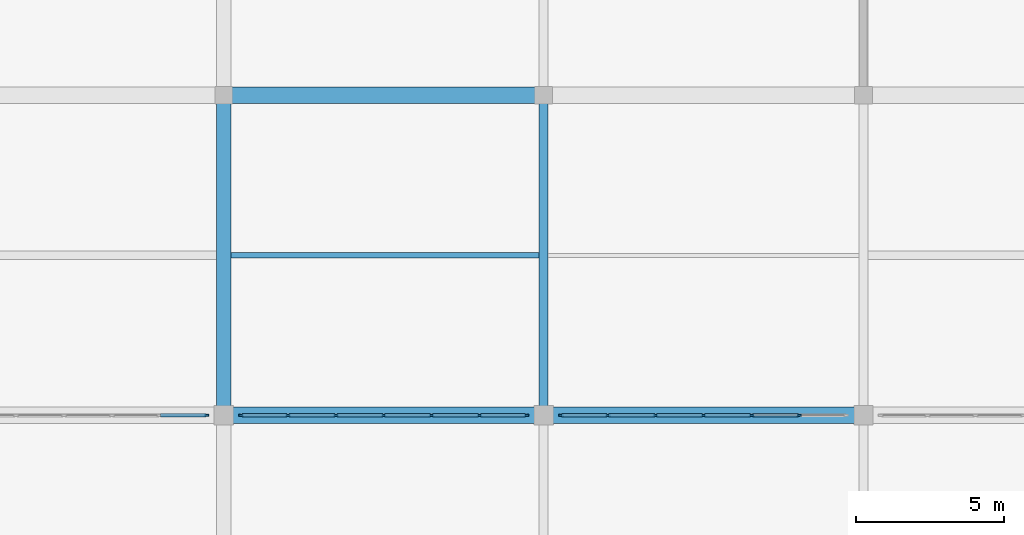
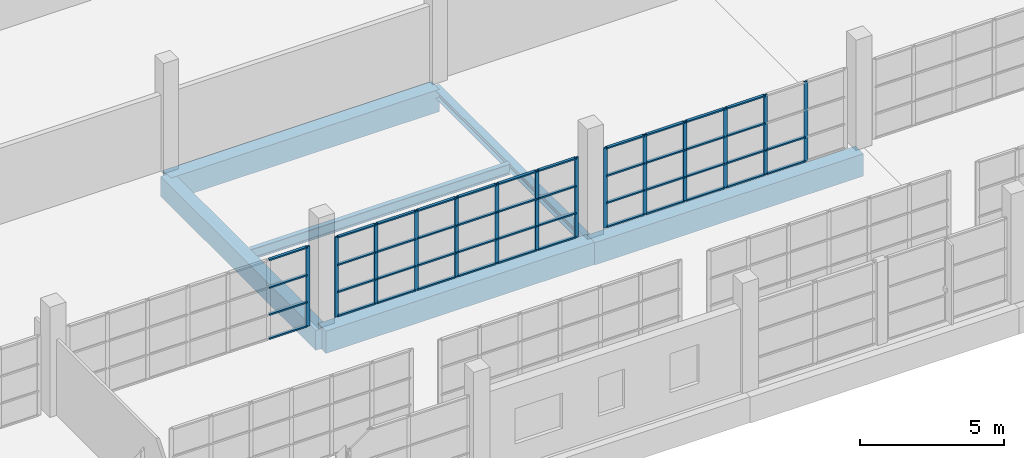
# One storey, part 49 of 142: 60 members, 6 beams, 3 elements without a shape of their own.
"""IFC4 building model written with IfcOpenShell, lengths in metres."""

from ifc_helpers import new_model, si_unit, direction, frame, origin, origin_2d, place, context, subcontext, project, spatial, rectangle, i_section, extrude, material, material_profile, profile_set, type_object, element, aggregate, save


model = new_model("IFC4")

# Units and contexts
model_context = context("Model", 3, precision=1e-05, world=origin(), true_north=direction((0.0, 1.0)))
body_context = subcontext(model_context, "Body", "Model", "MODEL_VIEW")
ifc_project = project(units=[si_unit("LENGTHUNIT", "METRE"), si_unit("AREAUNIT", "SQUARE_METRE"), si_unit("VOLUMEUNIT", "CUBIC_METRE"), si_unit("PLANEANGLEUNIT", "RADIAN"), si_unit("MASSUNIT", "GRAM", prefix="KILO")], contexts=[model_context])

# Site, building, storey
site_placement = place(None, origin())
site = spatial("IfcSite", under=ifc_project, at=site_placement, CompositionType="ELEMENT")
building_placement = place(site_placement, origin())
building = spatial("IfcBuilding", under=site, at=building_placement, Name="Zwinboog Wholesale Market", CompositionType="ELEMENT")
storey_placement = place(building_placement, frame((0.0, 0.0, 5.39990234375)))
storey = spatial("IfcBuildingStorey", under=building, at=storey_placement, Name="L01", CompositionType="ELEMENT", Elevation=5.39990234375)

# Beams
ifc_material_1 = material(Name="Precast concrete C45/55", Category="concrete")
ifc_material_profile_1 = material_profile(ifc_material_1, rectangle(XDim=0.550048828125, YDim=0.949951171875, at=origin_2d()), Name="PC 550x950")
ifc_profile_set_1 = profile_set([ifc_material_profile_1], Name="Precast concrete C45/55")
beam_type_1 = type_object("IfcBeamType", Name="BT-02", PredefinedType="BEAM", material=ifc_profile_set_1)
for number, where, z_axis, x_axis, name in (
    (1, (97.199951171875, 97.199951171875, -0.72998046875), (1.0, 0.0, 0.0), (0.0, 1.0, 0.0), "BG-02 (BMG-L01-0972-0972-0534)"),
    (2, (108.0, 97.199951171875, -0.7548828125), (1.0, 0.0, 0.0), (0.0, 1.0, 0.0), "BG-02 (BMG-L01-1080-0972-0535)"),
    (3, (97.199951171875, 108.0, -0.77978515625), (1.0, 0.0, 0.0), (0.0, 1.0, 0.0), "BG-02 (BMG-L01-0972-1080-0550)"),
):
    element("IfcBeam", number, at=place(storey_placement, frame(where, z_axis=z_axis, x_axis=x_axis)), inside=storey, type_object=beam_type_1, Name=name, PredefinedType="BEAM", context=body_context, shape_type="SweptSolid", body=[
        extrude(rectangle(XDim=0.550048828125, YDim=0.949951171875, at=origin_2d()), origin(), (0.0, 0.0, 1.0), 10.800048828125),
    ])
ifc_material_profile_2 = material_profile(ifc_material_1, rectangle(XDim=0.5, YDim=0.85009765625, at=origin_2d()), Name="PC 500x850")
ifc_profile_set_2 = profile_set([ifc_material_profile_2], Name="Precast concrete C45/55")
beam_type_2 = type_object("IfcBeamType", Name="BT-03", PredefinedType="BEAM", material=ifc_profile_set_2)
beam_1_placement = place(storey_placement, frame((97.199951171875, 97.199951171875, -0.72998046875), z_axis=(0.0, 1.0, 0.0), x_axis=(-1.0, 0.0, 0.0)))
element("IfcBeam", 4, at=beam_1_placement, inside=storey, type_object=beam_type_2, Name="BG-03 (BMG-L01-0972-0972-0691)", PredefinedType="BEAM", context=body_context, shape_type="SweptSolid", body=[
    extrude(rectangle(XDim=0.5, YDim=0.85009765625, at=origin_2d()), origin(), (0.0, 0.0, 1.0), 10.800048828125),
])
ifc_material_2 = material(Name="Steel S355", Category="steel")
ifc_material_profile_3 = material_profile(ifc_material_2, i_section(OverallWidth=0.300048828125, OverallDepth=0.35009765625, WebThickness=0.010009765625, FlangeThickness=0.017578125, FilletRadius=0.027099609375, at=origin_2d()), Name="HEA 360")
ifc_profile_set_3 = profile_set([ifc_material_profile_3], Name="Steel S355")
beam_type_3 = type_object("IfcBeamType", Name="BT-17", PredefinedType="BEAM", material=ifc_profile_set_3)
beam_2_placement = place(storey_placement, frame((108.0, 97.199951171875, -0.47998046875), z_axis=(0.0, 1.0, 0.0), x_axis=(-1.0, 0.0, 0.0)))
element("IfcBeam", 5, at=beam_2_placement, inside=storey, type_object=beam_type_3, Name="SB-04 (BMG-L01-1080-0972-0695)", PredefinedType="BEAM", context=body_context, shape_type="SweptSolid", body=[
    extrude(i_section(OverallWidth=0.300048828125, OverallDepth=0.35009765625, WebThickness=0.010009765625, FlangeThickness=0.017578125, FilletRadius=0.027099609375, at=origin_2d()), origin(), (0.0, 0.0, 1.0), 10.800048828125),
])
ifc_material_profile_4 = material_profile(ifc_material_2, i_section(OverallWidth=0.18994140625, OverallDepth=0.449951171875, WebThickness=0.009521484375, FlangeThickness=0.0146484375, FilletRadius=0.02099609375, at=origin_2d()), Name="IPE 450")
ifc_profile_set_4 = profile_set([ifc_material_profile_4], Name="Steel S355")
beam_type_4 = type_object("IfcBeamType", Name="BT-19", PredefinedType="JOIST", material=ifc_profile_set_4)
beam_3_placement = place(storey_placement, frame((97.449951171875, 102.60009765625, -0.47998046875), z_axis=(1.0, 0.0, 0.0), x_axis=(0.0, 1.0, 0.0)))
element("IfcBeam", 6, at=beam_3_placement, inside=storey, type_object=beam_type_4, Name="SJ-02 (BMG-L01-0974-1026-0837)", PredefinedType="JOIST", context=body_context, shape_type="SweptSolid", body=[
    extrude(i_section(OverallWidth=0.18994140625, OverallDepth=0.449951171875, WebThickness=0.009521484375, FlangeThickness=0.0146484375, FilletRadius=0.02099609375, at=origin_2d()), origin(), (0.0, 0.0, 1.0), 10.400146484375),
])

# Curtain wall, member
ifc_material_3 = material(Name="Aluminium thermally broken curtain wall", Category="aluminium")
curtain_wall_type = type_object("IfcCurtainWallType", Name="CWT-INT-STALL", PredefinedType="USERDEFINED", material=ifc_material_3)
curtain_wall_1_placement = place(storey_placement, origin())
curtain_wall_1 = element("IfcCurtainWall", 7, at=curtain_wall_1_placement, inside=storey, type_object=curtain_wall_type, Name="CW-07 (CW-STL-247)", ObjectType="STOREFRONT_GLAZING", PredefinedType="USERDEFINED")
ifc_material_4 = material(Name="Aluminium EN AW-6060", Category="aluminium")
ifc_material_profile_5 = material_profile(ifc_material_4, rectangle(XDim=0.06005859375, YDim=0.14990234375, at=origin_2d()), Name="AL 60x150")
ifc_profile_set_5 = profile_set([ifc_material_profile_5], Name="Aluminium EN AW-6060")
member_type_1 = type_object("IfcMemberType", Name="CWM-INT-60x120", PredefinedType="MULLION", material=ifc_profile_set_5)
member_1_placement = place(storey_placement, frame((96.6201171875, 97.199951171875, 0.0), z_axis=(0.0, 0.0, 1.0), x_axis=(0.0, 1.0, 0.0)))
member_1 = element("IfcMember", 8, at=member_1_placement, type_object=member_type_1, Name="CW-07 mullion 7", PredefinedType="MULLION", context=body_context, shape_type="SweptSolid", body=[
    extrude(rectangle(XDim=0.06005859375, YDim=0.14990234375, at=origin_2d()), origin(), (0.0, 0.0, 1.0), 3.400146484375),
])

# Curtain wall, members
curtain_wall_2_placement = place(storey_placement, origin())
curtain_wall_2 = element("IfcCurtainWall", 9, at=curtain_wall_2_placement, inside=storey, type_object=curtain_wall_type, Name="CW-07 (CW-STL-248)", ObjectType="STOREFRONT_GLAZING", PredefinedType="USERDEFINED")
member_2_placement = place(storey_placement, frame((97.780029296875, 97.199951171875, 0.0), z_axis=(0.0, 0.0, 1.0), x_axis=(0.0, 1.0, 0.0)))
member_2 = element("IfcMember", 10, at=member_2_placement, type_object=member_type_1, Name="CW-07 mullion 1", PredefinedType="MULLION", context=body_context, shape_type="SweptSolid", body=[
    extrude(rectangle(XDim=0.06005859375, YDim=0.14990234375, at=origin_2d()), origin(), (0.0, 0.0, 1.0), 3.400146484375),
])
member_3_placement = place(storey_placement, frame((99.36669921875, 97.199951171875, 0.0), z_axis=(0.0, 0.0, 1.0), x_axis=(0.0, 1.0, 0.0)))
member_3 = element("IfcMember", 11, at=member_3_placement, type_object=member_type_1, Name="CW-07 mullion 2", PredefinedType="MULLION", context=body_context, shape_type="SweptSolid", body=[
    extrude(rectangle(XDim=0.06005859375, YDim=0.14990234375, at=origin_2d()), origin(), (0.0, 0.0, 1.0), 3.400146484375),
])
member_4_placement = place(storey_placement, frame((100.9833984375, 97.199951171875, 0.0), z_axis=(0.0, 0.0, 1.0), x_axis=(0.0, 1.0, 0.0)))
member_4 = element("IfcMember", 12, at=member_4_placement, type_object=member_type_1, Name="CW-07 mullion 3", PredefinedType="MULLION", context=body_context, shape_type="SweptSolid", body=[
    extrude(rectangle(XDim=0.06005859375, YDim=0.14990234375, at=origin_2d()), origin(), (0.0, 0.0, 1.0), 3.400146484375),
])
member_5_placement = place(storey_placement, frame((102.60009765625, 97.199951171875, 0.0), z_axis=(0.0, 0.0, 1.0), x_axis=(0.0, 1.0, 0.0)))
member_5 = element("IfcMember", 13, at=member_5_placement, type_object=member_type_1, Name="CW-07 mullion 4", PredefinedType="MULLION", context=body_context, shape_type="SweptSolid", body=[
    extrude(rectangle(XDim=0.06005859375, YDim=0.14990234375, at=origin_2d()), origin(), (0.0, 0.0, 1.0), 3.400146484375),
])
member_6_placement = place(storey_placement, frame((104.216552734375, 97.199951171875, 0.0), z_axis=(0.0, 0.0, 1.0), x_axis=(0.0, 1.0, 0.0)))
member_6 = element("IfcMember", 14, at=member_6_placement, type_object=member_type_1, Name="CW-07 mullion 5", PredefinedType="MULLION", context=body_context, shape_type="SweptSolid", body=[
    extrude(rectangle(XDim=0.06005859375, YDim=0.14990234375, at=origin_2d()), origin(), (0.0, 0.0, 1.0), 3.400146484375),
])
member_7_placement = place(storey_placement, frame((105.833251953125, 97.199951171875, 0.0), z_axis=(0.0, 0.0, 1.0), x_axis=(0.0, 1.0, 0.0)))
member_7 = element("IfcMember", 15, at=member_7_placement, type_object=member_type_1, Name="CW-07 mullion 6", PredefinedType="MULLION", context=body_context, shape_type="SweptSolid", body=[
    extrude(rectangle(XDim=0.06005859375, YDim=0.14990234375, at=origin_2d()), origin(), (0.0, 0.0, 1.0), 3.400146484375),
])
member_8_placement = place(storey_placement, frame((107.419921875, 97.199951171875, 0.0), z_axis=(0.0, 0.0, 1.0), x_axis=(0.0, 1.0, 0.0)))
member_8 = element("IfcMember", 16, at=member_8_placement, type_object=member_type_1, Name="CW-07 mullion 7", PredefinedType="MULLION", context=body_context, shape_type="SweptSolid", body=[
    extrude(rectangle(XDim=0.06005859375, YDim=0.14990234375, at=origin_2d()), origin(), (0.0, 0.0, 1.0), 3.400146484375),
])

curtain_wall_3_placement = place(storey_placement, origin())
curtain_wall_3 = element("IfcCurtainWall", 17, at=curtain_wall_3_placement, inside=storey, type_object=curtain_wall_type, Name="CW-07 (CW-STL-249)", ObjectType="STOREFRONT_GLAZING", PredefinedType="USERDEFINED")
member_9_placement = place(storey_placement, frame((108.580078125, 97.199951171875, 0.0), z_axis=(0.0, 0.0, 1.0), x_axis=(0.0, 1.0, 0.0)))
member_9 = element("IfcMember", 18, at=member_9_placement, type_object=member_type_1, Name="CW-07 mullion 1", PredefinedType="MULLION", context=body_context, shape_type="SweptSolid", body=[
    extrude(rectangle(XDim=0.06005859375, YDim=0.14990234375, at=origin_2d()), origin(), (0.0, 0.0, 1.0), 3.400146484375),
])
member_10_placement = place(storey_placement, frame((110.166748046875, 97.199951171875, 0.0), z_axis=(0.0, 0.0, 1.0), x_axis=(0.0, 1.0, 0.0)))
member_10 = element("IfcMember", 19, at=member_10_placement, type_object=member_type_1, Name="CW-07 mullion 2", PredefinedType="MULLION", context=body_context, shape_type="SweptSolid", body=[
    extrude(rectangle(XDim=0.06005859375, YDim=0.14990234375, at=origin_2d()), origin(), (0.0, 0.0, 1.0), 3.400146484375),
])
member_11_placement = place(storey_placement, frame((111.783447265625, 97.199951171875, 0.0), z_axis=(0.0, 0.0, 1.0), x_axis=(0.0, 1.0, 0.0)))
member_11 = element("IfcMember", 20, at=member_11_placement, type_object=member_type_1, Name="CW-07 mullion 3", PredefinedType="MULLION", context=body_context, shape_type="SweptSolid", body=[
    extrude(rectangle(XDim=0.06005859375, YDim=0.14990234375, at=origin_2d()), origin(), (0.0, 0.0, 1.0), 3.400146484375),
])
member_12_placement = place(storey_placement, frame((113.39990234375, 97.199951171875, 0.0), z_axis=(0.0, 0.0, 1.0), x_axis=(0.0, 1.0, 0.0)))
member_12 = element("IfcMember", 21, at=member_12_placement, type_object=member_type_1, Name="CW-07 mullion 4", PredefinedType="MULLION", context=body_context, shape_type="SweptSolid", body=[
    extrude(rectangle(XDim=0.06005859375, YDim=0.14990234375, at=origin_2d()), origin(), (0.0, 0.0, 1.0), 3.400146484375),
])
member_13_placement = place(storey_placement, frame((115.0166015625, 97.199951171875, 0.0), z_axis=(0.0, 0.0, 1.0), x_axis=(0.0, 1.0, 0.0)))
member_13 = element("IfcMember", 22, at=member_13_placement, type_object=member_type_1, Name="CW-07 mullion 5", PredefinedType="MULLION", context=body_context, shape_type="SweptSolid", body=[
    extrude(rectangle(XDim=0.06005859375, YDim=0.14990234375, at=origin_2d()), origin(), (0.0, 0.0, 1.0), 3.400146484375),
])
member_14_placement = place(storey_placement, frame((116.63330078125, 97.199951171875, 0.0), z_axis=(0.0, 0.0, 1.0), x_axis=(0.0, 1.0, 0.0)))
member_14 = element("IfcMember", 23, at=member_14_placement, type_object=member_type_1, Name="CW-07 mullion 6", PredefinedType="MULLION", context=body_context, shape_type="SweptSolid", body=[
    extrude(rectangle(XDim=0.06005859375, YDim=0.14990234375, at=origin_2d()), origin(), (0.0, 0.0, 1.0), 3.400146484375),
])

# Member
ifc_material_profile_6 = material_profile(ifc_material_4, rectangle(XDim=0.110107421875, YDim=0.06005859375, at=origin_2d()), Name="AL 60x110")
ifc_profile_set_6 = profile_set([ifc_material_profile_6], Name="Aluminium EN AW-6060")
member_type_2 = type_object("IfcMemberType", Name="CWT-INT-60x100", PredefinedType="USERDEFINED", material=ifc_profile_set_6)
member_15_placement = place(storey_placement, frame((95.063232421875, 97.199951171875, 0.030029296875), z_axis=(1.0, 0.0, 0.0), x_axis=(0.0, 1.0, 0.0)))
member_15 = element("IfcMember", 24, at=member_15_placement, type_object=member_type_2, Name="CW-07 transom 6.1", ObjectType="TRANSOM", PredefinedType="USERDEFINED", context=body_context, shape_type="SweptSolid", body=[
    extrude(rectangle(XDim=0.110107421875, YDim=0.06005859375, at=origin_2d()), origin(), (0.0, 0.0, 1.0), 1.52685546875),
])

member_16_placement = place(storey_placement, frame((95.063232421875, 97.199951171875, 1.050048828125), z_axis=(1.0, 0.0, 0.0), x_axis=(0.0, 1.0, 0.0)))
member_16 = element("IfcMember", 25, at=member_16_placement, type_object=member_type_2, Name="CW-07 transom 6.2", ObjectType="TRANSOM", PredefinedType="USERDEFINED", context=body_context, shape_type="SweptSolid", body=[
    extrude(rectangle(XDim=0.110107421875, YDim=0.06005859375, at=origin_2d()), origin(), (0.0, 0.0, 1.0), 1.52685546875),
])

member_17_placement = place(storey_placement, frame((95.063232421875, 97.199951171875, 2.2001953125), z_axis=(1.0, 0.0, 0.0), x_axis=(0.0, 1.0, 0.0)))
member_17 = element("IfcMember", 26, at=member_17_placement, type_object=member_type_2, Name="CW-07 transom 6.3", ObjectType="TRANSOM", PredefinedType="USERDEFINED", context=body_context, shape_type="SweptSolid", body=[
    extrude(rectangle(XDim=0.110107421875, YDim=0.06005859375, at=origin_2d()), origin(), (0.0, 0.0, 1.0), 1.52685546875),
])

member_18_placement = place(storey_placement, frame((95.063232421875, 97.199951171875, 3.3701171875), z_axis=(1.0, 0.0, 0.0), x_axis=(0.0, 1.0, 0.0)))
member_18 = element("IfcMember", 27, at=member_18_placement, type_object=member_type_2, Name="CW-07 transom 6.4", ObjectType="TRANSOM", PredefinedType="USERDEFINED", context=body_context, shape_type="SweptSolid", body=[
    extrude(rectangle(XDim=0.110107421875, YDim=0.06005859375, at=origin_2d()), origin(), (0.0, 0.0, 1.0), 1.52685546875),
])

aggregate(curtain_wall_1, [member_1, member_15, member_16, member_17, member_18])

member_19_placement = place(storey_placement, frame((97.81005859375, 97.199951171875, 0.030029296875), z_axis=(1.0, 0.0, 0.0), x_axis=(0.0, 1.0, 0.0)))
member_19 = element("IfcMember", 28, at=member_19_placement, type_object=member_type_2, Name="CW-07 transom 1.1", ObjectType="TRANSOM", PredefinedType="USERDEFINED", context=body_context, shape_type="SweptSolid", body=[
    extrude(rectangle(XDim=0.110107421875, YDim=0.06005859375, at=origin_2d()), origin(), (0.0, 0.0, 1.0), 1.526611328125),
])

member_20_placement = place(storey_placement, frame((97.81005859375, 97.199951171875, 1.050048828125), z_axis=(1.0, 0.0, 0.0), x_axis=(0.0, 1.0, 0.0)))
member_20 = element("IfcMember", 29, at=member_20_placement, type_object=member_type_2, Name="CW-07 transom 1.2", ObjectType="TRANSOM", PredefinedType="USERDEFINED", context=body_context, shape_type="SweptSolid", body=[
    extrude(rectangle(XDim=0.110107421875, YDim=0.06005859375, at=origin_2d()), origin(), (0.0, 0.0, 1.0), 1.526611328125),
])

member_21_placement = place(storey_placement, frame((97.81005859375, 97.199951171875, 2.2001953125), z_axis=(1.0, 0.0, 0.0), x_axis=(0.0, 1.0, 0.0)))
member_21 = element("IfcMember", 30, at=member_21_placement, type_object=member_type_2, Name="CW-07 transom 1.3", ObjectType="TRANSOM", PredefinedType="USERDEFINED", context=body_context, shape_type="SweptSolid", body=[
    extrude(rectangle(XDim=0.110107421875, YDim=0.06005859375, at=origin_2d()), origin(), (0.0, 0.0, 1.0), 1.526611328125),
])

member_22_placement = place(storey_placement, frame((97.81005859375, 97.199951171875, 3.3701171875), z_axis=(1.0, 0.0, 0.0), x_axis=(0.0, 1.0, 0.0)))
member_22 = element("IfcMember", 31, at=member_22_placement, type_object=member_type_2, Name="CW-07 transom 1.4", ObjectType="TRANSOM", PredefinedType="USERDEFINED", context=body_context, shape_type="SweptSolid", body=[
    extrude(rectangle(XDim=0.110107421875, YDim=0.06005859375, at=origin_2d()), origin(), (0.0, 0.0, 1.0), 1.526611328125),
])

member_23_placement = place(storey_placement, frame((99.396728515625, 97.199951171875, 0.030029296875), z_axis=(1.0, 0.0, 0.0), x_axis=(0.0, 1.0, 0.0)))
member_23 = element("IfcMember", 32, at=member_23_placement, type_object=member_type_2, Name="CW-07 transom 2.1", ObjectType="TRANSOM", PredefinedType="USERDEFINED", context=body_context, shape_type="SweptSolid", body=[
    extrude(rectangle(XDim=0.110107421875, YDim=0.06005859375, at=origin_2d()), origin(), (0.0, 0.0, 1.0), 1.556640625),
])

member_24_placement = place(storey_placement, frame((99.396728515625, 97.199951171875, 1.050048828125), z_axis=(1.0, 0.0, 0.0), x_axis=(0.0, 1.0, 0.0)))
member_24 = element("IfcMember", 33, at=member_24_placement, type_object=member_type_2, Name="CW-07 transom 2.2", ObjectType="TRANSOM", PredefinedType="USERDEFINED", context=body_context, shape_type="SweptSolid", body=[
    extrude(rectangle(XDim=0.110107421875, YDim=0.06005859375, at=origin_2d()), origin(), (0.0, 0.0, 1.0), 1.556640625),
])

member_25_placement = place(storey_placement, frame((99.396728515625, 97.199951171875, 2.2001953125), z_axis=(1.0, 0.0, 0.0), x_axis=(0.0, 1.0, 0.0)))
member_25 = element("IfcMember", 34, at=member_25_placement, type_object=member_type_2, Name="CW-07 transom 2.3", ObjectType="TRANSOM", PredefinedType="USERDEFINED", context=body_context, shape_type="SweptSolid", body=[
    extrude(rectangle(XDim=0.110107421875, YDim=0.06005859375, at=origin_2d()), origin(), (0.0, 0.0, 1.0), 1.556640625),
])

member_26_placement = place(storey_placement, frame((99.396728515625, 97.199951171875, 3.3701171875), z_axis=(1.0, 0.0, 0.0), x_axis=(0.0, 1.0, 0.0)))
member_26 = element("IfcMember", 35, at=member_26_placement, type_object=member_type_2, Name="CW-07 transom 2.4", ObjectType="TRANSOM", PredefinedType="USERDEFINED", context=body_context, shape_type="SweptSolid", body=[
    extrude(rectangle(XDim=0.110107421875, YDim=0.06005859375, at=origin_2d()), origin(), (0.0, 0.0, 1.0), 1.556640625),
])

member_27_placement = place(storey_placement, frame((101.013427734375, 97.199951171875, 0.030029296875), z_axis=(1.0, 0.0, 0.0), x_axis=(0.0, 1.0, 0.0)))
member_27 = element("IfcMember", 36, at=member_27_placement, type_object=member_type_2, Name="CW-07 transom 3.1", ObjectType="TRANSOM", PredefinedType="USERDEFINED", context=body_context, shape_type="SweptSolid", body=[
    extrude(rectangle(XDim=0.110107421875, YDim=0.06005859375, at=origin_2d()), origin(), (0.0, 0.0, 1.0), 1.556640625),
])

member_28_placement = place(storey_placement, frame((101.013427734375, 97.199951171875, 1.050048828125), z_axis=(1.0, 0.0, 0.0), x_axis=(0.0, 1.0, 0.0)))
member_28 = element("IfcMember", 37, at=member_28_placement, type_object=member_type_2, Name="CW-07 transom 3.2", ObjectType="TRANSOM", PredefinedType="USERDEFINED", context=body_context, shape_type="SweptSolid", body=[
    extrude(rectangle(XDim=0.110107421875, YDim=0.06005859375, at=origin_2d()), origin(), (0.0, 0.0, 1.0), 1.556640625),
])

member_29_placement = place(storey_placement, frame((101.013427734375, 97.199951171875, 2.2001953125), z_axis=(1.0, 0.0, 0.0), x_axis=(0.0, 1.0, 0.0)))
member_29 = element("IfcMember", 38, at=member_29_placement, type_object=member_type_2, Name="CW-07 transom 3.3", ObjectType="TRANSOM", PredefinedType="USERDEFINED", context=body_context, shape_type="SweptSolid", body=[
    extrude(rectangle(XDim=0.110107421875, YDim=0.06005859375, at=origin_2d()), origin(), (0.0, 0.0, 1.0), 1.556640625),
])

member_30_placement = place(storey_placement, frame((101.013427734375, 97.199951171875, 3.3701171875), z_axis=(1.0, 0.0, 0.0), x_axis=(0.0, 1.0, 0.0)))
member_30 = element("IfcMember", 39, at=member_30_placement, type_object=member_type_2, Name="CW-07 transom 3.4", ObjectType="TRANSOM", PredefinedType="USERDEFINED", context=body_context, shape_type="SweptSolid", body=[
    extrude(rectangle(XDim=0.110107421875, YDim=0.06005859375, at=origin_2d()), origin(), (0.0, 0.0, 1.0), 1.556640625),
])

member_31_placement = place(storey_placement, frame((102.6298828125, 97.199951171875, 0.030029296875), z_axis=(1.0, 0.0, 0.0), x_axis=(0.0, 1.0, 0.0)))
member_31 = element("IfcMember", 40, at=member_31_placement, type_object=member_type_2, Name="CW-07 transom 4.1", ObjectType="TRANSOM", PredefinedType="USERDEFINED", context=body_context, shape_type="SweptSolid", body=[
    extrude(rectangle(XDim=0.110107421875, YDim=0.06005859375, at=origin_2d()), origin(), (0.0, 0.0, 1.0), 1.556884765625),
])

member_32_placement = place(storey_placement, frame((102.6298828125, 97.199951171875, 1.050048828125), z_axis=(1.0, 0.0, 0.0), x_axis=(0.0, 1.0, 0.0)))
member_32 = element("IfcMember", 41, at=member_32_placement, type_object=member_type_2, Name="CW-07 transom 4.2", ObjectType="TRANSOM", PredefinedType="USERDEFINED", context=body_context, shape_type="SweptSolid", body=[
    extrude(rectangle(XDim=0.110107421875, YDim=0.06005859375, at=origin_2d()), origin(), (0.0, 0.0, 1.0), 1.556884765625),
])

member_33_placement = place(storey_placement, frame((102.6298828125, 97.199951171875, 2.2001953125), z_axis=(1.0, 0.0, 0.0), x_axis=(0.0, 1.0, 0.0)))
member_33 = element("IfcMember", 42, at=member_33_placement, type_object=member_type_2, Name="CW-07 transom 4.3", ObjectType="TRANSOM", PredefinedType="USERDEFINED", context=body_context, shape_type="SweptSolid", body=[
    extrude(rectangle(XDim=0.110107421875, YDim=0.06005859375, at=origin_2d()), origin(), (0.0, 0.0, 1.0), 1.556884765625),
])

member_34_placement = place(storey_placement, frame((102.6298828125, 97.199951171875, 3.3701171875), z_axis=(1.0, 0.0, 0.0), x_axis=(0.0, 1.0, 0.0)))
member_34 = element("IfcMember", 43, at=member_34_placement, type_object=member_type_2, Name="CW-07 transom 4.4", ObjectType="TRANSOM", PredefinedType="USERDEFINED", context=body_context, shape_type="SweptSolid", body=[
    extrude(rectangle(XDim=0.110107421875, YDim=0.06005859375, at=origin_2d()), origin(), (0.0, 0.0, 1.0), 1.556884765625),
])

member_35_placement = place(storey_placement, frame((104.24658203125, 97.199951171875, 0.030029296875), z_axis=(1.0, 0.0, 0.0), x_axis=(0.0, 1.0, 0.0)))
member_35 = element("IfcMember", 44, at=member_35_placement, type_object=member_type_2, Name="CW-07 transom 5.1", ObjectType="TRANSOM", PredefinedType="USERDEFINED", context=body_context, shape_type="SweptSolid", body=[
    extrude(rectangle(XDim=0.110107421875, YDim=0.06005859375, at=origin_2d()), origin(), (0.0, 0.0, 1.0), 1.556640625),
])

member_36_placement = place(storey_placement, frame((104.24658203125, 97.199951171875, 1.050048828125), z_axis=(1.0, 0.0, 0.0), x_axis=(0.0, 1.0, 0.0)))
member_36 = element("IfcMember", 45, at=member_36_placement, type_object=member_type_2, Name="CW-07 transom 5.2", ObjectType="TRANSOM", PredefinedType="USERDEFINED", context=body_context, shape_type="SweptSolid", body=[
    extrude(rectangle(XDim=0.110107421875, YDim=0.06005859375, at=origin_2d()), origin(), (0.0, 0.0, 1.0), 1.556640625),
])

member_37_placement = place(storey_placement, frame((104.24658203125, 97.199951171875, 2.2001953125), z_axis=(1.0, 0.0, 0.0), x_axis=(0.0, 1.0, 0.0)))
member_37 = element("IfcMember", 46, at=member_37_placement, type_object=member_type_2, Name="CW-07 transom 5.3", ObjectType="TRANSOM", PredefinedType="USERDEFINED", context=body_context, shape_type="SweptSolid", body=[
    extrude(rectangle(XDim=0.110107421875, YDim=0.06005859375, at=origin_2d()), origin(), (0.0, 0.0, 1.0), 1.556640625),
])

member_38_placement = place(storey_placement, frame((104.24658203125, 97.199951171875, 3.3701171875), z_axis=(1.0, 0.0, 0.0), x_axis=(0.0, 1.0, 0.0)))
member_38 = element("IfcMember", 47, at=member_38_placement, type_object=member_type_2, Name="CW-07 transom 5.4", ObjectType="TRANSOM", PredefinedType="USERDEFINED", context=body_context, shape_type="SweptSolid", body=[
    extrude(rectangle(XDim=0.110107421875, YDim=0.06005859375, at=origin_2d()), origin(), (0.0, 0.0, 1.0), 1.556640625),
])

member_39_placement = place(storey_placement, frame((105.86328125, 97.199951171875, 0.030029296875), z_axis=(1.0, 0.0, 0.0), x_axis=(0.0, 1.0, 0.0)))
member_39 = element("IfcMember", 48, at=member_39_placement, type_object=member_type_2, Name="CW-07 transom 6.1", ObjectType="TRANSOM", PredefinedType="USERDEFINED", context=body_context, shape_type="SweptSolid", body=[
    extrude(rectangle(XDim=0.110107421875, YDim=0.06005859375, at=origin_2d()), origin(), (0.0, 0.0, 1.0), 1.526611328125),
])

member_40_placement = place(storey_placement, frame((105.86328125, 97.199951171875, 1.050048828125), z_axis=(1.0, 0.0, 0.0), x_axis=(0.0, 1.0, 0.0)))
member_40 = element("IfcMember", 49, at=member_40_placement, type_object=member_type_2, Name="CW-07 transom 6.2", ObjectType="TRANSOM", PredefinedType="USERDEFINED", context=body_context, shape_type="SweptSolid", body=[
    extrude(rectangle(XDim=0.110107421875, YDim=0.06005859375, at=origin_2d()), origin(), (0.0, 0.0, 1.0), 1.526611328125),
])

member_41_placement = place(storey_placement, frame((105.86328125, 97.199951171875, 2.2001953125), z_axis=(1.0, 0.0, 0.0), x_axis=(0.0, 1.0, 0.0)))
member_41 = element("IfcMember", 50, at=member_41_placement, type_object=member_type_2, Name="CW-07 transom 6.3", ObjectType="TRANSOM", PredefinedType="USERDEFINED", context=body_context, shape_type="SweptSolid", body=[
    extrude(rectangle(XDim=0.110107421875, YDim=0.06005859375, at=origin_2d()), origin(), (0.0, 0.0, 1.0), 1.526611328125),
])

member_42_placement = place(storey_placement, frame((105.86328125, 97.199951171875, 3.3701171875), z_axis=(1.0, 0.0, 0.0), x_axis=(0.0, 1.0, 0.0)))
member_42 = element("IfcMember", 51, at=member_42_placement, type_object=member_type_2, Name="CW-07 transom 6.4", ObjectType="TRANSOM", PredefinedType="USERDEFINED", context=body_context, shape_type="SweptSolid", body=[
    extrude(rectangle(XDim=0.110107421875, YDim=0.06005859375, at=origin_2d()), origin(), (0.0, 0.0, 1.0), 1.526611328125),
])

aggregate(curtain_wall_2, [member_2, member_3, member_4, member_5, member_6, member_7, member_8, member_19, member_20, member_21, member_22, member_23, member_24, member_25, member_26, member_27, member_28, member_29, member_30, member_31, member_32, member_33, member_34, member_35, member_36, member_37, member_38, member_39, member_40, member_41, member_42])

member_43_placement = place(storey_placement, frame((108.610107421875, 97.199951171875, 0.030029296875), z_axis=(1.0, 0.0, 0.0), x_axis=(0.0, 1.0, 0.0)))
member_43 = element("IfcMember", 52, at=member_43_placement, type_object=member_type_2, Name="CW-07 transom 1.1", ObjectType="TRANSOM", PredefinedType="USERDEFINED", context=body_context, shape_type="SweptSolid", body=[
    extrude(rectangle(XDim=0.110107421875, YDim=0.06005859375, at=origin_2d()), origin(), (0.0, 0.0, 1.0), 1.526611328125),
])

member_44_placement = place(storey_placement, frame((108.610107421875, 97.199951171875, 1.050048828125), z_axis=(1.0, 0.0, 0.0), x_axis=(0.0, 1.0, 0.0)))
member_44 = element("IfcMember", 53, at=member_44_placement, type_object=member_type_2, Name="CW-07 transom 1.2", ObjectType="TRANSOM", PredefinedType="USERDEFINED", context=body_context, shape_type="SweptSolid", body=[
    extrude(rectangle(XDim=0.110107421875, YDim=0.06005859375, at=origin_2d()), origin(), (0.0, 0.0, 1.0), 1.526611328125),
])

member_45_placement = place(storey_placement, frame((108.610107421875, 97.199951171875, 2.2001953125), z_axis=(1.0, 0.0, 0.0), x_axis=(0.0, 1.0, 0.0)))
member_45 = element("IfcMember", 54, at=member_45_placement, type_object=member_type_2, Name="CW-07 transom 1.3", ObjectType="TRANSOM", PredefinedType="USERDEFINED", context=body_context, shape_type="SweptSolid", body=[
    extrude(rectangle(XDim=0.110107421875, YDim=0.06005859375, at=origin_2d()), origin(), (0.0, 0.0, 1.0), 1.526611328125),
])

member_46_placement = place(storey_placement, frame((108.610107421875, 97.199951171875, 3.3701171875), z_axis=(1.0, 0.0, 0.0), x_axis=(0.0, 1.0, 0.0)))
member_46 = element("IfcMember", 55, at=member_46_placement, type_object=member_type_2, Name="CW-07 transom 1.4", ObjectType="TRANSOM", PredefinedType="USERDEFINED", context=body_context, shape_type="SweptSolid", body=[
    extrude(rectangle(XDim=0.110107421875, YDim=0.06005859375, at=origin_2d()), origin(), (0.0, 0.0, 1.0), 1.526611328125),
])

member_47_placement = place(storey_placement, frame((110.19677734375, 97.199951171875, 0.030029296875), z_axis=(1.0, 0.0, 0.0), x_axis=(0.0, 1.0, 0.0)))
member_47 = element("IfcMember", 56, at=member_47_placement, type_object=member_type_2, Name="CW-07 transom 2.1", ObjectType="TRANSOM", PredefinedType="USERDEFINED", context=body_context, shape_type="SweptSolid", body=[
    extrude(rectangle(XDim=0.110107421875, YDim=0.06005859375, at=origin_2d()), origin(), (0.0, 0.0, 1.0), 1.556640625),
])

member_48_placement = place(storey_placement, frame((110.19677734375, 97.199951171875, 1.050048828125), z_axis=(1.0, 0.0, 0.0), x_axis=(0.0, 1.0, 0.0)))
member_48 = element("IfcMember", 57, at=member_48_placement, type_object=member_type_2, Name="CW-07 transom 2.2", ObjectType="TRANSOM", PredefinedType="USERDEFINED", context=body_context, shape_type="SweptSolid", body=[
    extrude(rectangle(XDim=0.110107421875, YDim=0.06005859375, at=origin_2d()), origin(), (0.0, 0.0, 1.0), 1.556640625),
])

member_49_placement = place(storey_placement, frame((110.19677734375, 97.199951171875, 2.2001953125), z_axis=(1.0, 0.0, 0.0), x_axis=(0.0, 1.0, 0.0)))
member_49 = element("IfcMember", 58, at=member_49_placement, type_object=member_type_2, Name="CW-07 transom 2.3", ObjectType="TRANSOM", PredefinedType="USERDEFINED", context=body_context, shape_type="SweptSolid", body=[
    extrude(rectangle(XDim=0.110107421875, YDim=0.06005859375, at=origin_2d()), origin(), (0.0, 0.0, 1.0), 1.556640625),
])

member_50_placement = place(storey_placement, frame((110.19677734375, 97.199951171875, 3.3701171875), z_axis=(1.0, 0.0, 0.0), x_axis=(0.0, 1.0, 0.0)))
member_50 = element("IfcMember", 59, at=member_50_placement, type_object=member_type_2, Name="CW-07 transom 2.4", ObjectType="TRANSOM", PredefinedType="USERDEFINED", context=body_context, shape_type="SweptSolid", body=[
    extrude(rectangle(XDim=0.110107421875, YDim=0.06005859375, at=origin_2d()), origin(), (0.0, 0.0, 1.0), 1.556640625),
])

member_51_placement = place(storey_placement, frame((111.813232421875, 97.199951171875, 0.030029296875), z_axis=(1.0, 0.0, 0.0), x_axis=(0.0, 1.0, 0.0)))
member_51 = element("IfcMember", 60, at=member_51_placement, type_object=member_type_2, Name="CW-07 transom 3.1", ObjectType="TRANSOM", PredefinedType="USERDEFINED", context=body_context, shape_type="SweptSolid", body=[
    extrude(rectangle(XDim=0.110107421875, YDim=0.06005859375, at=origin_2d()), origin(), (0.0, 0.0, 1.0), 1.556884765625),
])

member_52_placement = place(storey_placement, frame((111.813232421875, 97.199951171875, 1.050048828125), z_axis=(1.0, 0.0, 0.0), x_axis=(0.0, 1.0, 0.0)))
member_52 = element("IfcMember", 61, at=member_52_placement, type_object=member_type_2, Name="CW-07 transom 3.2", ObjectType="TRANSOM", PredefinedType="USERDEFINED", context=body_context, shape_type="SweptSolid", body=[
    extrude(rectangle(XDim=0.110107421875, YDim=0.06005859375, at=origin_2d()), origin(), (0.0, 0.0, 1.0), 1.556884765625),
])

member_53_placement = place(storey_placement, frame((111.813232421875, 97.199951171875, 2.2001953125), z_axis=(1.0, 0.0, 0.0), x_axis=(0.0, 1.0, 0.0)))
member_53 = element("IfcMember", 62, at=member_53_placement, type_object=member_type_2, Name="CW-07 transom 3.3", ObjectType="TRANSOM", PredefinedType="USERDEFINED", context=body_context, shape_type="SweptSolid", body=[
    extrude(rectangle(XDim=0.110107421875, YDim=0.06005859375, at=origin_2d()), origin(), (0.0, 0.0, 1.0), 1.556884765625),
])

member_54_placement = place(storey_placement, frame((111.813232421875, 97.199951171875, 3.3701171875), z_axis=(1.0, 0.0, 0.0), x_axis=(0.0, 1.0, 0.0)))
member_54 = element("IfcMember", 63, at=member_54_placement, type_object=member_type_2, Name="CW-07 transom 3.4", ObjectType="TRANSOM", PredefinedType="USERDEFINED", context=body_context, shape_type="SweptSolid", body=[
    extrude(rectangle(XDim=0.110107421875, YDim=0.06005859375, at=origin_2d()), origin(), (0.0, 0.0, 1.0), 1.556884765625),
])

member_55_placement = place(storey_placement, frame((113.429931640625, 97.199951171875, 0.030029296875), z_axis=(1.0, 0.0, 0.0), x_axis=(0.0, 1.0, 0.0)))
member_55 = element("IfcMember", 64, at=member_55_placement, type_object=member_type_2, Name="CW-07 transom 4.1", ObjectType="TRANSOM", PredefinedType="USERDEFINED", context=body_context, shape_type="SweptSolid", body=[
    extrude(rectangle(XDim=0.110107421875, YDim=0.06005859375, at=origin_2d()), origin(), (0.0, 0.0, 1.0), 1.556640625),
])

member_56_placement = place(storey_placement, frame((113.429931640625, 97.199951171875, 1.050048828125), z_axis=(1.0, 0.0, 0.0), x_axis=(0.0, 1.0, 0.0)))
member_56 = element("IfcMember", 65, at=member_56_placement, type_object=member_type_2, Name="CW-07 transom 4.2", ObjectType="TRANSOM", PredefinedType="USERDEFINED", context=body_context, shape_type="SweptSolid", body=[
    extrude(rectangle(XDim=0.110107421875, YDim=0.06005859375, at=origin_2d()), origin(), (0.0, 0.0, 1.0), 1.556640625),
])

member_57_placement = place(storey_placement, frame((113.429931640625, 97.199951171875, 2.2001953125), z_axis=(1.0, 0.0, 0.0), x_axis=(0.0, 1.0, 0.0)))
member_57 = element("IfcMember", 66, at=member_57_placement, type_object=member_type_2, Name="CW-07 transom 4.3", ObjectType="TRANSOM", PredefinedType="USERDEFINED", context=body_context, shape_type="SweptSolid", body=[
    extrude(rectangle(XDim=0.110107421875, YDim=0.06005859375, at=origin_2d()), origin(), (0.0, 0.0, 1.0), 1.556640625),
])

member_58_placement = place(storey_placement, frame((113.429931640625, 97.199951171875, 3.3701171875), z_axis=(1.0, 0.0, 0.0), x_axis=(0.0, 1.0, 0.0)))
member_58 = element("IfcMember", 67, at=member_58_placement, type_object=member_type_2, Name="CW-07 transom 4.4", ObjectType="TRANSOM", PredefinedType="USERDEFINED", context=body_context, shape_type="SweptSolid", body=[
    extrude(rectangle(XDim=0.110107421875, YDim=0.06005859375, at=origin_2d()), origin(), (0.0, 0.0, 1.0), 1.556640625),
])

member_59_placement = place(storey_placement, frame((115.046630859375, 97.199951171875, 0.030029296875), z_axis=(1.0, 0.0, 0.0), x_axis=(0.0, 1.0, 0.0)))
member_59 = element("IfcMember", 68, at=member_59_placement, type_object=member_type_2, Name="CW-07 transom 5.1", ObjectType="TRANSOM", PredefinedType="USERDEFINED", context=body_context, shape_type="SweptSolid", body=[
    extrude(rectangle(XDim=0.110107421875, YDim=0.06005859375, at=origin_2d()), origin(), (0.0, 0.0, 1.0), 1.556640625),
])

member_60_placement = place(storey_placement, frame((115.046630859375, 97.199951171875, 1.050048828125), z_axis=(1.0, 0.0, 0.0), x_axis=(0.0, 1.0, 0.0)))
member_60 = element("IfcMember", 69, at=member_60_placement, type_object=member_type_2, Name="CW-07 transom 5.2", ObjectType="TRANSOM", PredefinedType="USERDEFINED", context=body_context, shape_type="SweptSolid", body=[
    extrude(rectangle(XDim=0.110107421875, YDim=0.06005859375, at=origin_2d()), origin(), (0.0, 0.0, 1.0), 1.556640625),
])

aggregate(curtain_wall_3, [member_9, member_10, member_11, member_12, member_13, member_14, member_43, member_44, member_45, member_46, member_47, member_48, member_49, member_50, member_51, member_52, member_53, member_54, member_55, member_56, member_57, member_58, member_59, member_60])

save(model, "model.ifc")
